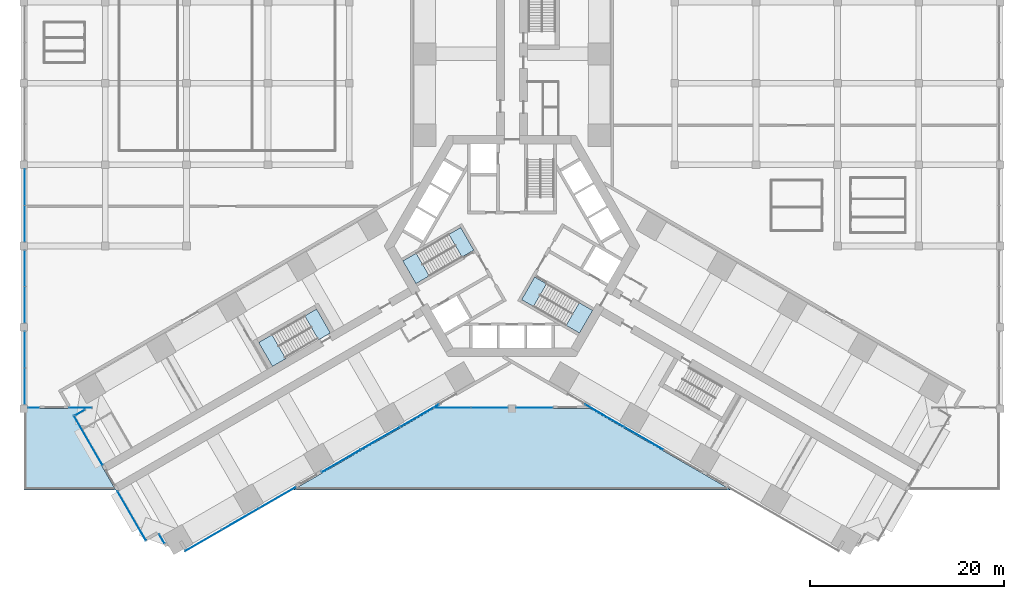
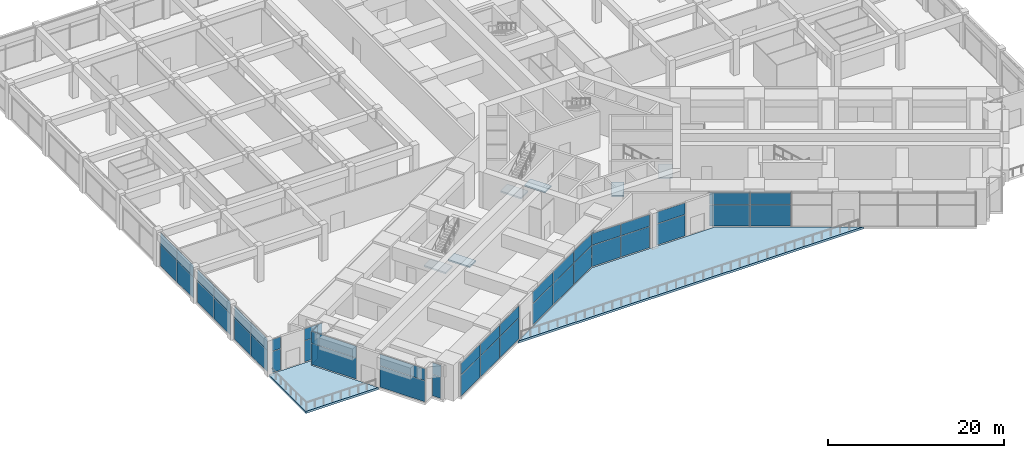
# One storey, part 23 of 34: 46 plates, 8 slabs, 17 elements without a shape of their own.
"""IFC4 building model written with IfcOpenShell, lengths in metres."""

from ifc_helpers import new_model, si_unit, direction, frame, origin, origin_2d, place, context, subcontext, project, spatial, polyline, rectangle, outline, extrude, material, layer, layer_set, type_object, element, aggregate, save


model = new_model("IFC4")

# Units and contexts
model_context = context("Model", 3, precision=1e-05, world=origin(), true_north=direction((0.0, 1.0)))
body_context = subcontext(model_context, "Body", "Model", "MODEL_VIEW")
ifc_project = project(units=[si_unit("LENGTHUNIT", "METRE"), si_unit("AREAUNIT", "SQUARE_METRE"), si_unit("VOLUMEUNIT", "CUBIC_METRE"), si_unit("PLANEANGLEUNIT", "RADIAN"), si_unit("MASSUNIT", "GRAM", prefix="KILO")], contexts=[model_context])

# Site, building, storey
site_placement = place(None, origin())
site = spatial("IfcSite", under=ifc_project, at=site_placement, CompositionType="ELEMENT")
building_placement = place(site_placement, origin())
building = spatial("IfcBuilding", under=site, at=building_placement, Name="Impinga Residences", CompositionType="ELEMENT")
storey_placement = place(building_placement, frame((0.0, 0.0, 16.0)))
storey = spatial("IfcBuildingStorey", under=building, at=storey_placement, Name="L03", CompositionType="ELEMENT", Elevation=16.0)

# Curtain wall, plates
ifc_material_1 = material(Name="Aluminium stick curtain wall", Category="aluminium")
curtain_wall_type = type_object("IfcCurtainWallType", Name="CW1 podium amenity curtain wall", PredefinedType="USERDEFINED", material=ifc_material_1)
curtain_wall_1_placement = place(storey_placement, origin())
curtain_wall_1 = element("IfcCurtainWall", 1, at=curtain_wall_1_placement, inside=storey, type_object=curtain_wall_type, Name="Curtain wall CW1 L03", ObjectType="STICK CURTAIN WALL", PredefinedType="USERDEFINED")
ifc_material_2 = material(Name="Clear double glazing", Category="glass")
ifc_layer_1 = layer(ifc_material_2, 0.028076171875)
ifc_layer_set_1 = layer_set([ifc_layer_1], Name="CW1-P clear double glazed panel 28")
plate_type = type_object("IfcPlateType", Name="CW1-P clear double glazed panel 28", PredefinedType="CURTAIN_PANEL", material=ifc_layer_set_1)
plate_1_placement = place(storey_placement, frame((-36.160888671875, -30.23046875, 0.06005859375), z_axis=(0.0, 0.0, 1.0), x_axis=(-0.499999813995, 0.866025511175, 0.0)))
plate_1 = element("IfcPlate", 2, at=plate_1_placement, type_object=plate_type, Name="CW1 panel 1.1", PredefinedType="CURTAIN_PANEL", context=body_context, shape_type="SweptSolid", body=[
    extrude(rectangle(XDim=1.080078125, YDim=0.028076171875, at=origin_2d()), origin(), (0.0, 0.0, 1.0), 2.909912109375),
])
plate_2_placement = place(storey_placement, frame((-36.160888671875, -30.23046875, 3.02978515625), z_axis=(0.0, 0.0, 1.0), x_axis=(-0.499999813995, 0.866025511175, 0.0)))
plate_2 = element("IfcPlate", 3, at=plate_2_placement, type_object=plate_type, Name="CW1 panel 1.2", PredefinedType="CURTAIN_PANEL", context=body_context, shape_type="SweptSolid", body=[
    extrude(rectangle(XDim=1.080078125, YDim=0.028076171875, at=origin_2d()), origin(), (0.0, 0.0, 1.0), 1.610107421875),
])
aggregate(curtain_wall_1, [plate_1, plate_2])

curtain_wall_2_placement = place(storey_placement, origin())
curtain_wall_2 = element("IfcCurtainWall", 4, at=curtain_wall_2_placement, inside=storey, type_object=curtain_wall_type, Name="Curtain wall CW1 L03", ObjectType="STICK CURTAIN WALL", PredefinedType="USERDEFINED")
plate_3_placement = place(storey_placement, frame((-39.260009765625, -27.86279296875, 0.06005859375), z_axis=(0.0, 0.0, 1.0), x_axis=(-0.500000030502, 0.866025386174, 0.0)))
plate_3 = element("IfcPlate", 5, at=plate_3_placement, type_object=plate_type, Name="CW1 panel 1.1", PredefinedType="CURTAIN_PANEL", context=body_context, shape_type="SweptSolid", body=[
    extrude(rectangle(XDim=5.8798828125, YDim=0.028076171875, at=origin_2d()), origin(), (0.0, 0.0, 1.0), 2.909912109375),
])
plate_4_placement = place(storey_placement, frame((-39.260009765625, -27.86279296875, 3.02978515625), z_axis=(0.0, 0.0, 1.0), x_axis=(-0.500000030502, 0.866025386174, 0.0)))
plate_4 = element("IfcPlate", 6, at=plate_4_placement, type_object=plate_type, Name="CW1 panel 1.2", PredefinedType="CURTAIN_PANEL", context=body_context, shape_type="SweptSolid", body=[
    extrude(rectangle(XDim=5.8798828125, YDim=0.028076171875, at=origin_2d()), origin(), (0.0, 0.0, 1.0), 1.610107421875),
])
aggregate(curtain_wall_2, [plate_3, plate_4])

curtain_wall_3_placement = place(storey_placement, origin())
curtain_wall_3 = element("IfcCurtainWall", 7, at=curtain_wall_3_placement, inside=storey, type_object=curtain_wall_type, Name="Curtain wall CW1 L03", ObjectType="STICK CURTAIN WALL", PredefinedType="USERDEFINED")
plate_5_placement = place(storey_placement, frame((-43.760009765625, -20.068603515625, 0.06005859375), z_axis=(0.0, 0.0, 1.0), x_axis=(-0.500000030502, 0.866025386174, 0.0)))
plate_5 = element("IfcPlate", 8, at=plate_5_placement, type_object=plate_type, Name="CW1 panel 1.1", PredefinedType="CURTAIN_PANEL", context=body_context, shape_type="SweptSolid", body=[
    extrude(rectangle(XDim=5.8798828125, YDim=0.028076171875, at=origin_2d()), origin(), (0.0, 0.0, 1.0), 2.909912109375),
])
plate_6_placement = place(storey_placement, frame((-43.760009765625, -20.068603515625, 3.02978515625), z_axis=(0.0, 0.0, 1.0), x_axis=(-0.500000030502, 0.866025386174, 0.0)))
plate_6 = element("IfcPlate", 9, at=plate_6_placement, type_object=plate_type, Name="CW1 panel 1.2", PredefinedType="CURTAIN_PANEL", context=body_context, shape_type="SweptSolid", body=[
    extrude(rectangle(XDim=5.8798828125, YDim=0.028076171875, at=origin_2d()), origin(), (0.0, 0.0, 1.0), 1.610107421875),
])
aggregate(curtain_wall_3, [plate_5, plate_6])

curtain_wall_4_placement = place(storey_placement, origin())
curtain_wall_4 = element("IfcCurtainWall", 10, at=curtain_wall_4_placement, inside=storey, type_object=curtain_wall_type, Name="Curtain wall CW1 L03", ObjectType="STICK CURTAIN WALL", PredefinedType="USERDEFINED")
plate_7_placement = place(storey_placement, frame((-44.5859375, -17.19677734375, 0.06005859375), z_axis=(0.0, 0.0, 1.0), x_axis=(0.86602522371, 0.500000311898, 0.0)))
plate_7 = element("IfcPlate", 11, at=plate_7_placement, type_object=plate_type, Name="CW1 panel 1.1", PredefinedType="CURTAIN_PANEL", context=body_context, shape_type="SweptSolid", body=[
    extrude(rectangle(XDim=1.12109375, YDim=0.028076171875, at=origin_2d()), origin(), (0.0, 0.0, 1.0), 2.909912109375),
])
plate_8_placement = place(storey_placement, frame((-44.5859375, -17.19677734375, 3.02978515625), z_axis=(0.0, 0.0, 1.0), x_axis=(0.86602522371, 0.500000311898, 0.0)))
plate_8 = element("IfcPlate", 12, at=plate_8_placement, type_object=plate_type, Name="CW1 panel 1.2", PredefinedType="CURTAIN_PANEL", context=body_context, shape_type="SweptSolid", body=[
    extrude(rectangle(XDim=1.12109375, YDim=0.028076171875, at=origin_2d()), origin(), (0.0, 0.0, 1.0), 1.610107421875),
])
aggregate(curtain_wall_4, [plate_7, plate_8])

curtain_wall_5_placement = place(storey_placement, origin())
curtain_wall_5 = element("IfcCurtainWall", 13, at=curtain_wall_5_placement, inside=storey, type_object=curtain_wall_type, Name="Curtain wall CW1 L03", ObjectType="STICK CURTAIN WALL", PredefinedType="USERDEFINED")
plate_9_placement = place(storey_placement, frame((-44.550537109375, -16.699951171875, 0.06005859375), z_axis=(0.0, 0.0, 1.0), x_axis=(-1.0, 0.0, 0.0)))
plate_9 = element("IfcPlate", 14, at=plate_9_placement, type_object=plate_type, Name="CW1 panel 1.1", PredefinedType="CURTAIN_PANEL", context=body_context, shape_type="SweptSolid", body=[
    extrude(rectangle(XDim=2.277099609375, YDim=0.028076171875, at=origin_2d()), origin(), (0.0, 0.0, 1.0), 2.909912109375),
])
plate_10_placement = place(storey_placement, frame((-44.550537109375, -16.699951171875, 3.02978515625), z_axis=(0.0, 0.0, 1.0), x_axis=(-1.0, 0.0, 0.0)))
plate_10 = element("IfcPlate", 15, at=plate_10_placement, type_object=plate_type, Name="CW1 panel 1.2", PredefinedType="CURTAIN_PANEL", context=body_context, shape_type="SweptSolid", body=[
    extrude(rectangle(XDim=2.277099609375, YDim=0.028076171875, at=origin_2d()), origin(), (0.0, 0.0, 1.0), 1.610107421875),
])
aggregate(curtain_wall_5, [plate_9, plate_10])

curtain_wall_6_placement = place(storey_placement, origin())
curtain_wall_6 = element("IfcCurtainWall", 16, at=curtain_wall_6_placement, inside=storey, type_object=curtain_wall_type, Name="Curtain wall CW1 L03", ObjectType="STICK CURTAIN WALL", PredefinedType="USERDEFINED")
plate_11_placement = place(storey_placement, frame((-49.373046875, -16.699951171875, 0.06005859375), z_axis=(0.0, 0.0, 1.0), x_axis=(-1.0, 0.0, 0.0)))
plate_11 = element("IfcPlate", 17, at=plate_11_placement, type_object=plate_type, Name="CW1 panel 1.1", PredefinedType="CURTAIN_PANEL", context=body_context, shape_type="SweptSolid", body=[
    extrude(rectangle(XDim=1.127685546875, YDim=0.028076171875, at=origin_2d()), origin(), (0.0, 0.0, 1.0), 2.909912109375),
])
plate_12_placement = place(storey_placement, frame((-49.373046875, -16.699951171875, 3.02978515625), z_axis=(0.0, 0.0, 1.0), x_axis=(-1.0, 0.0, 0.0)))
plate_12 = element("IfcPlate", 18, at=plate_12_placement, type_object=plate_type, Name="CW1 panel 1.2", PredefinedType="CURTAIN_PANEL", context=body_context, shape_type="SweptSolid", body=[
    extrude(rectangle(XDim=1.127685546875, YDim=0.028076171875, at=origin_2d()), origin(), (0.0, 0.0, 1.0), 1.610107421875),
])
aggregate(curtain_wall_6, [plate_11, plate_12])

curtain_wall_7_placement = place(storey_placement, origin())
curtain_wall_7 = element("IfcCurtainWall", 19, at=curtain_wall_7_placement, inside=storey, type_object=curtain_wall_type, Name="Curtain wall CW1 L03", ObjectType="STICK CURTAIN WALL", PredefinedType="USERDEFINED")
plate_13_placement = place(storey_placement, frame((-50.300048828125, -14.4833984375, 0.06005859375), z_axis=(0.0, 0.0, 1.0), x_axis=(0.0, 1.0, 0.0)))
plate_13 = element("IfcPlate", 20, at=plate_13_placement, type_object=plate_type, Name="CW1 panel 1.1", PredefinedType="CURTAIN_PANEL", context=body_context, shape_type="SweptSolid", body=[
    extrude(rectangle(XDim=3.70703125, YDim=0.028076171875, at=origin_2d()), origin(), (0.0, 0.0, 1.0), 2.909912109375),
])
plate_14_placement = place(storey_placement, frame((-50.300048828125, -14.4833984375, 3.02978515625), z_axis=(0.0, 0.0, 1.0), x_axis=(0.0, 1.0, 0.0)))
plate_14 = element("IfcPlate", 21, at=plate_14_placement, type_object=plate_type, Name="CW1 panel 1.2", PredefinedType="CURTAIN_PANEL", context=body_context, shape_type="SweptSolid", body=[
    extrude(rectangle(XDim=3.70703125, YDim=0.028076171875, at=origin_2d()), origin(), (0.0, 0.0, 1.0), 1.610107421875),
])
plate_15_placement = place(storey_placement, frame((-50.300048828125, -10.716552734375, 0.06005859375), z_axis=(0.0, 0.0, 1.0), x_axis=(0.0, 1.0, 0.0)))
plate_15 = element("IfcPlate", 22, at=plate_15_placement, type_object=plate_type, Name="CW1 panel 2.1", PredefinedType="CURTAIN_PANEL", context=body_context, shape_type="SweptSolid", body=[
    extrude(rectangle(XDim=3.70703125, YDim=0.028076171875, at=origin_2d()), origin(), (0.0, 0.0, 1.0), 2.909912109375),
])
plate_16_placement = place(storey_placement, frame((-50.300048828125, -10.716552734375, 3.02978515625), z_axis=(0.0, 0.0, 1.0), x_axis=(0.0, 1.0, 0.0)))
plate_16 = element("IfcPlate", 23, at=plate_16_placement, type_object=plate_type, Name="CW1 panel 2.2", PredefinedType="CURTAIN_PANEL", context=body_context, shape_type="SweptSolid", body=[
    extrude(rectangle(XDim=3.70703125, YDim=0.028076171875, at=origin_2d()), origin(), (0.0, 0.0, 1.0), 1.610107421875),
])
aggregate(curtain_wall_7, [plate_13, plate_14, plate_15, plate_16])

curtain_wall_8_placement = place(storey_placement, origin())
curtain_wall_8 = element("IfcCurtainWall", 24, at=curtain_wall_8_placement, inside=storey, type_object=curtain_wall_type, Name="Curtain wall CW1 L03", ObjectType="STICK CURTAIN WALL", PredefinedType="USERDEFINED")
plate_17_placement = place(storey_placement, frame((-50.300048828125, -6.08349609375, 0.06005859375), z_axis=(0.0, 0.0, 1.0), x_axis=(0.0, 1.0, 0.0)))
plate_17 = element("IfcPlate", 25, at=plate_17_placement, type_object=plate_type, Name="CW1 panel 1.1", PredefinedType="CURTAIN_PANEL", context=body_context, shape_type="SweptSolid", body=[
    extrude(rectangle(XDim=3.70703125, YDim=0.028076171875, at=origin_2d()), origin(), (0.0, 0.0, 1.0), 2.909912109375),
])
plate_18_placement = place(storey_placement, frame((-50.300048828125, -6.08349609375, 3.02978515625), z_axis=(0.0, 0.0, 1.0), x_axis=(0.0, 1.0, 0.0)))
plate_18 = element("IfcPlate", 26, at=plate_18_placement, type_object=plate_type, Name="CW1 panel 1.2", PredefinedType="CURTAIN_PANEL", context=body_context, shape_type="SweptSolid", body=[
    extrude(rectangle(XDim=3.70703125, YDim=0.028076171875, at=origin_2d()), origin(), (0.0, 0.0, 1.0), 1.610107421875),
])
plate_19_placement = place(storey_placement, frame((-50.300048828125, -2.31640625, 0.06005859375), z_axis=(0.0, 0.0, 1.0), x_axis=(0.0, 1.0, 0.0)))
plate_19 = element("IfcPlate", 27, at=plate_19_placement, type_object=plate_type, Name="CW1 panel 2.1", PredefinedType="CURTAIN_PANEL", context=body_context, shape_type="SweptSolid", body=[
    extrude(rectangle(XDim=3.70703125, YDim=0.028076171875, at=origin_2d()), origin(), (0.0, 0.0, 1.0), 2.909912109375),
])
plate_20_placement = place(storey_placement, frame((-50.300048828125, -2.31640625, 3.02978515625), z_axis=(0.0, 0.0, 1.0), x_axis=(0.0, 1.0, 0.0)))
plate_20 = element("IfcPlate", 28, at=plate_20_placement, type_object=plate_type, Name="CW1 panel 2.2", PredefinedType="CURTAIN_PANEL", context=body_context, shape_type="SweptSolid", body=[
    extrude(rectangle(XDim=3.70703125, YDim=0.028076171875, at=origin_2d()), origin(), (0.0, 0.0, 1.0), 1.610107421875),
])
aggregate(curtain_wall_8, [plate_17, plate_18, plate_19, plate_20])

curtain_wall_9_placement = place(storey_placement, origin())
curtain_wall_9 = element("IfcCurtainWall", 29, at=curtain_wall_9_placement, inside=storey, type_object=curtain_wall_type, Name="Curtain wall CW1 L03", ObjectType="STICK CURTAIN WALL", PredefinedType="USERDEFINED")
plate_21_placement = place(storey_placement, frame((-50.300048828125, 2.31640625, 0.06005859375), z_axis=(0.0, 0.0, 1.0), x_axis=(0.0, 1.0, 0.0)))
plate_21 = element("IfcPlate", 30, at=plate_21_placement, type_object=plate_type, Name="CW1 panel 1.1", PredefinedType="CURTAIN_PANEL", context=body_context, shape_type="SweptSolid", body=[
    extrude(rectangle(XDim=3.70703125, YDim=0.028076171875, at=origin_2d()), origin(), (0.0, 0.0, 1.0), 2.909912109375),
])
plate_22_placement = place(storey_placement, frame((-50.300048828125, 2.31640625, 3.02978515625), z_axis=(0.0, 0.0, 1.0), x_axis=(0.0, 1.0, 0.0)))
plate_22 = element("IfcPlate", 31, at=plate_22_placement, type_object=plate_type, Name="CW1 panel 1.2", PredefinedType="CURTAIN_PANEL", context=body_context, shape_type="SweptSolid", body=[
    extrude(rectangle(XDim=3.70703125, YDim=0.028076171875, at=origin_2d()), origin(), (0.0, 0.0, 1.0), 1.610107421875),
])
plate_23_placement = place(storey_placement, frame((-50.300048828125, 6.08349609375, 0.06005859375), z_axis=(0.0, 0.0, 1.0), x_axis=(0.0, 1.0, 0.0)))
plate_23 = element("IfcPlate", 32, at=plate_23_placement, type_object=plate_type, Name="CW1 panel 2.1", PredefinedType="CURTAIN_PANEL", context=body_context, shape_type="SweptSolid", body=[
    extrude(rectangle(XDim=3.70703125, YDim=0.028076171875, at=origin_2d()), origin(), (0.0, 0.0, 1.0), 2.909912109375),
])
plate_24_placement = place(storey_placement, frame((-50.300048828125, 6.08349609375, 3.02978515625), z_axis=(0.0, 0.0, 1.0), x_axis=(0.0, 1.0, 0.0)))
plate_24 = element("IfcPlate", 33, at=plate_24_placement, type_object=plate_type, Name="CW1 panel 2.2", PredefinedType="CURTAIN_PANEL", context=body_context, shape_type="SweptSolid", body=[
    extrude(rectangle(XDim=3.70703125, YDim=0.028076171875, at=origin_2d()), origin(), (0.0, 0.0, 1.0), 1.610107421875),
])
aggregate(curtain_wall_9, [plate_21, plate_22, plate_23, plate_24])

curtain_wall_10_placement = place(storey_placement, origin())
curtain_wall_10 = element("IfcCurtainWall", 34, at=curtain_wall_10_placement, inside=storey, type_object=curtain_wall_type, Name="Curtain wall CW1 L03", ObjectType="STICK CURTAIN WALL", PredefinedType="USERDEFINED")
plate_25_placement = place(storey_placement, frame((13.588134765625, -19.85400390625, 0.06005859375), z_axis=(0.0, 0.0, 1.0), x_axis=(-0.866025380702, 0.500000039979, 0.0)))
plate_25 = element("IfcPlate", 35, at=plate_25_placement, type_object=plate_type, Name="CW1 panel 2.1", PredefinedType="CURTAIN_PANEL", context=body_context, shape_type="SweptSolid", body=[
    extrude(rectangle(XDim=4.625244140625, YDim=0.028076171875, at=origin_2d()), origin(), (0.0, 0.0, 1.0), 2.909912109375),
])
plate_26_placement = place(storey_placement, frame((13.588134765625, -19.85400390625, 3.02978515625), z_axis=(0.0, 0.0, 1.0), x_axis=(-0.866025380702, 0.500000039979, 0.0)))
plate_26 = element("IfcPlate", 36, at=plate_26_placement, type_object=plate_type, Name="CW1 panel 2.2", PredefinedType="CURTAIN_PANEL", context=body_context, shape_type="SweptSolid", body=[
    extrude(rectangle(XDim=4.625244140625, YDim=0.028076171875, at=origin_2d()), origin(), (0.0, 0.0, 1.0), 1.610107421875),
])
plate_27_placement = place(storey_placement, frame((9.543701171875, -17.51904296875, 0.06005859375), z_axis=(0.0, 0.0, 1.0), x_axis=(-0.866025380702, 0.500000039979, 0.0)))
plate_27 = element("IfcPlate", 37, at=plate_27_placement, type_object=plate_type, Name="CW1 panel 3.1", PredefinedType="CURTAIN_PANEL", context=body_context, shape_type="SweptSolid", body=[
    extrude(rectangle(XDim=4.59521484375, YDim=0.028076171875, at=origin_2d()), origin(), (0.0, 0.0, 1.0), 2.909912109375),
])
plate_28_placement = place(storey_placement, frame((9.543701171875, -17.51904296875, 3.02978515625), z_axis=(0.0, 0.0, 1.0), x_axis=(-0.866025380702, 0.500000039979, 0.0)))
plate_28 = element("IfcPlate", 38, at=plate_28_placement, type_object=plate_type, Name="CW1 panel 3.2", PredefinedType="CURTAIN_PANEL", context=body_context, shape_type="SweptSolid", body=[
    extrude(rectangle(XDim=4.59521484375, YDim=0.028076171875, at=origin_2d()), origin(), (0.0, 0.0, 1.0), 1.610107421875),
])
aggregate(curtain_wall_10, [plate_25, plate_26, plate_27, plate_28])

curtain_wall_11_placement = place(storey_placement, origin())
curtain_wall_11 = element("IfcCurtainWall", 39, at=curtain_wall_11_placement, inside=storey, type_object=curtain_wall_type, Name="Curtain wall CW1 L03", ObjectType="STICK CURTAIN WALL", PredefinedType="USERDEFINED")
plate_29_placement = place(storey_placement, frame((2.3271484375, -16.699951171875, 0.06005859375), z_axis=(0.0, 0.0, 1.0), x_axis=(-1.0, 0.0, 0.0)))
plate_29 = element("IfcPlate", 40, at=plate_29_placement, type_object=plate_type, Name="CW1 panel 1.1", PredefinedType="CURTAIN_PANEL", context=body_context, shape_type="SweptSolid", body=[
    extrude(rectangle(XDim=3.728515625, YDim=0.028076171875, at=origin_2d()), origin(), (0.0, 0.0, 1.0), 2.909912109375),
])
plate_30_placement = place(storey_placement, frame((2.3271484375, -16.699951171875, 3.02978515625), z_axis=(0.0, 0.0, 1.0), x_axis=(-1.0, 0.0, 0.0)))
plate_30 = element("IfcPlate", 41, at=plate_30_placement, type_object=plate_type, Name="CW1 panel 1.2", PredefinedType="CURTAIN_PANEL", context=body_context, shape_type="SweptSolid", body=[
    extrude(rectangle(XDim=3.728515625, YDim=0.028076171875, at=origin_2d()), origin(), (0.0, 0.0, 1.0), 1.610107421875),
])
aggregate(curtain_wall_11, [plate_29, plate_30])

curtain_wall_12_placement = place(storey_placement, origin())
curtain_wall_12 = element("IfcCurtainWall", 42, at=curtain_wall_12_placement, inside=storey, type_object=curtain_wall_type, Name="Curtain wall CW1 L03", ObjectType="STICK CURTAIN WALL", PredefinedType="USERDEFINED")
plate_31_placement = place(storey_placement, frame((-2.341796875, -16.699951171875, 0.06005859375), z_axis=(0.0, 0.0, 1.0), x_axis=(-1.0, 0.0, 0.0)))
plate_31 = element("IfcPlate", 43, at=plate_31_placement, type_object=plate_type, Name="CW1 panel 1.1", PredefinedType="CURTAIN_PANEL", context=body_context, shape_type="SweptSolid", body=[
    extrude(rectangle(XDim=3.7578125, YDim=0.028076171875, at=origin_2d()), origin(), (0.0, 0.0, 1.0), 2.909912109375),
])
plate_32_placement = place(storey_placement, frame((-2.341796875, -16.699951171875, 3.02978515625), z_axis=(0.0, 0.0, 1.0), x_axis=(-1.0, 0.0, 0.0)))
plate_32 = element("IfcPlate", 44, at=plate_32_placement, type_object=plate_type, Name="CW1 panel 1.2", PredefinedType="CURTAIN_PANEL", context=body_context, shape_type="SweptSolid", body=[
    extrude(rectangle(XDim=3.7578125, YDim=0.028076171875, at=origin_2d()), origin(), (0.0, 0.0, 1.0), 1.610107421875),
])
plate_33_placement = place(storey_placement, frame((-6.15966796875, -16.699951171875, 0.06005859375), z_axis=(0.0, 0.0, 1.0), x_axis=(-1.0, 0.0, 0.0)))
plate_33 = element("IfcPlate", 45, at=plate_33_placement, type_object=plate_type, Name="CW1 panel 2.1", PredefinedType="CURTAIN_PANEL", context=body_context, shape_type="SweptSolid", body=[
    extrude(rectangle(XDim=3.7578125, YDim=0.028076171875, at=origin_2d()), origin(), (0.0, 0.0, 1.0), 2.909912109375),
])
plate_34_placement = place(storey_placement, frame((-6.15966796875, -16.699951171875, 3.02978515625), z_axis=(0.0, 0.0, 1.0), x_axis=(-1.0, 0.0, 0.0)))
plate_34 = element("IfcPlate", 46, at=plate_34_placement, type_object=plate_type, Name="CW1 panel 2.2", PredefinedType="CURTAIN_PANEL", context=body_context, shape_type="SweptSolid", body=[
    extrude(rectangle(XDim=3.7578125, YDim=0.028076171875, at=origin_2d()), origin(), (0.0, 0.0, 1.0), 1.610107421875),
])
aggregate(curtain_wall_12, [plate_31, plate_32, plate_33, plate_34])

curtain_wall_13_placement = place(storey_placement, origin())
curtain_wall_13 = element("IfcCurtainWall", 47, at=curtain_wall_13_placement, inside=storey, type_object=curtain_wall_type, Name="Curtain wall CW1 L03", ObjectType="STICK CURTAIN WALL", PredefinedType="USERDEFINED")
plate_35_placement = place(storey_placement, frame((-9.543701171875, -17.51904296875, 0.06005859375), z_axis=(0.0, 0.0, 1.0), x_axis=(-0.866025380702, -0.500000039979, 0.0)))
plate_35 = element("IfcPlate", 48, at=plate_35_placement, type_object=plate_type, Name="CW1 panel 1.1", PredefinedType="CURTAIN_PANEL", context=body_context, shape_type="SweptSolid", body=[
    extrude(rectangle(XDim=4.59521484375, YDim=0.028076171875, at=origin_2d()), origin(), (0.0, 0.0, 1.0), 2.909912109375),
])
plate_36_placement = place(storey_placement, frame((-9.543701171875, -17.51904296875, 3.02978515625), z_axis=(0.0, 0.0, 1.0), x_axis=(-0.866025380702, -0.500000039979, 0.0)))
plate_36 = element("IfcPlate", 49, at=plate_36_placement, type_object=plate_type, Name="CW1 panel 1.2", PredefinedType="CURTAIN_PANEL", context=body_context, shape_type="SweptSolid", body=[
    extrude(rectangle(XDim=4.59521484375, YDim=0.028076171875, at=origin_2d()), origin(), (0.0, 0.0, 1.0), 1.610107421875),
])
plate_37_placement = place(storey_placement, frame((-13.588134765625, -19.85400390625, 0.06005859375), z_axis=(0.0, 0.0, 1.0), x_axis=(-0.866025380702, -0.500000039979, 0.0)))
plate_37 = element("IfcPlate", 50, at=plate_37_placement, type_object=plate_type, Name="CW1 panel 2.1", PredefinedType="CURTAIN_PANEL", context=body_context, shape_type="SweptSolid", body=[
    extrude(rectangle(XDim=4.625244140625, YDim=0.028076171875, at=origin_2d()), origin(), (0.0, 0.0, 1.0), 2.909912109375),
])
plate_38_placement = place(storey_placement, frame((-13.588134765625, -19.85400390625, 3.02978515625), z_axis=(0.0, 0.0, 1.0), x_axis=(-0.866025380702, -0.500000039979, 0.0)))
plate_38 = element("IfcPlate", 51, at=plate_38_placement, type_object=plate_type, Name="CW1 panel 2.2", PredefinedType="CURTAIN_PANEL", context=body_context, shape_type="SweptSolid", body=[
    extrude(rectangle(XDim=4.625244140625, YDim=0.028076171875, at=origin_2d()), origin(), (0.0, 0.0, 1.0), 1.610107421875),
])
plate_39_placement = place(storey_placement, frame((-17.6328125, -22.189208984375, 0.06005859375), z_axis=(0.0, 0.0, 1.0), x_axis=(-0.866025380702, -0.500000039979, 0.0)))
plate_39 = element("IfcPlate", 52, at=plate_39_placement, type_object=plate_type, Name="CW1 panel 3.1", PredefinedType="CURTAIN_PANEL", context=body_context, shape_type="SweptSolid", body=[
    extrude(rectangle(XDim=4.59521484375, YDim=0.028076171875, at=origin_2d()), origin(), (0.0, 0.0, 1.0), 2.909912109375),
])
plate_40_placement = place(storey_placement, frame((-17.6328125, -22.189208984375, 3.02978515625), z_axis=(0.0, 0.0, 1.0), x_axis=(-0.866025380702, -0.500000039979, 0.0)))
plate_40 = element("IfcPlate", 53, at=plate_40_placement, type_object=plate_type, Name="CW1 panel 3.2", PredefinedType="CURTAIN_PANEL", context=body_context, shape_type="SweptSolid", body=[
    extrude(rectangle(XDim=4.59521484375, YDim=0.028076171875, at=origin_2d()), origin(), (0.0, 0.0, 1.0), 1.610107421875),
])
aggregate(curtain_wall_13, [plate_35, plate_36, plate_37, plate_38, plate_39, plate_40])

curtain_wall_14_placement = place(storey_placement, origin())
curtain_wall_14 = element("IfcCurtainWall", 54, at=curtain_wall_14_placement, inside=storey, type_object=curtain_wall_type, Name="Curtain wall CW1 L03", ObjectType="STICK CURTAIN WALL", PredefinedType="USERDEFINED")
plate_41_placement = place(storey_placement, frame((-24.20654296875, -25.984619140625, 0.06005859375), z_axis=(0.0, 0.0, 1.0), x_axis=(-0.866025412354, -0.499999985157, 0.0)))
plate_41 = element("IfcPlate", 55, at=plate_41_placement, type_object=plate_type, Name="CW1 panel 1.1", PredefinedType="CURTAIN_PANEL", context=body_context, shape_type="SweptSolid", body=[
    extrude(rectangle(XDim=4.346435546875, YDim=0.028076171875, at=origin_2d()), origin(), (0.0, 0.0, 1.0), 2.909912109375),
])
plate_42_placement = place(storey_placement, frame((-24.20654296875, -25.984619140625, 3.02978515625), z_axis=(0.0, 0.0, 1.0), x_axis=(-0.866025412354, -0.499999985157, 0.0)))
plate_42 = element("IfcPlate", 56, at=plate_42_placement, type_object=plate_type, Name="CW1 panel 1.2", PredefinedType="CURTAIN_PANEL", context=body_context, shape_type="SweptSolid", body=[
    extrude(rectangle(XDim=4.346435546875, YDim=0.028076171875, at=origin_2d()), origin(), (0.0, 0.0, 1.0), 1.610107421875),
])
plate_43_placement = place(storey_placement, frame((-28.035400390625, -28.195068359375, 0.06005859375), z_axis=(0.0, 0.0, 1.0), x_axis=(-0.866025412354, -0.499999985157, 0.0)))
plate_43 = element("IfcPlate", 57, at=plate_43_placement, type_object=plate_type, Name="CW1 panel 2.1", PredefinedType="CURTAIN_PANEL", context=body_context, shape_type="SweptSolid", body=[
    extrude(rectangle(XDim=4.37646484375, YDim=0.028076171875, at=origin_2d()), origin(), (0.0, 0.0, 1.0), 2.909912109375),
])
plate_44_placement = place(storey_placement, frame((-28.035400390625, -28.195068359375, 3.02978515625), z_axis=(0.0, 0.0, 1.0), x_axis=(-0.866025412354, -0.499999985157, 0.0)))
plate_44 = element("IfcPlate", 58, at=plate_44_placement, type_object=plate_type, Name="CW1 panel 2.2", PredefinedType="CURTAIN_PANEL", context=body_context, shape_type="SweptSolid", body=[
    extrude(rectangle(XDim=4.37646484375, YDim=0.028076171875, at=origin_2d()), origin(), (0.0, 0.0, 1.0), 1.610107421875),
])
plate_45_placement = place(storey_placement, frame((-31.864501953125, -30.40576171875, 0.06005859375), z_axis=(0.0, 0.0, 1.0), x_axis=(-0.866025412354, -0.499999985157, 0.0)))
plate_45 = element("IfcPlate", 59, at=plate_45_placement, type_object=plate_type, Name="CW1 panel 3.1", PredefinedType="CURTAIN_PANEL", context=body_context, shape_type="SweptSolid", body=[
    extrude(rectangle(XDim=4.346435546875, YDim=0.028076171875, at=origin_2d()), origin(), (0.0, 0.0, 1.0), 2.909912109375),
])
plate_46_placement = place(storey_placement, frame((-31.864501953125, -30.40576171875, 3.02978515625), z_axis=(0.0, 0.0, 1.0), x_axis=(-0.866025412354, -0.499999985157, 0.0)))
plate_46 = element("IfcPlate", 60, at=plate_46_placement, type_object=plate_type, Name="CW1 panel 3.2", PredefinedType="CURTAIN_PANEL", context=body_context, shape_type="SweptSolid", body=[
    extrude(rectangle(XDim=4.346435546875, YDim=0.028076171875, at=origin_2d()), origin(), (0.0, 0.0, 1.0), 1.610107421875),
])
aggregate(curtain_wall_14, [plate_41, plate_42, plate_43, plate_44, plate_45, plate_46])

# Stair, slabs
ifc_material_3 = material(Name="Concrete C40/50", Category="concrete")
stair_type_1 = type_object("IfcStairType", Name="STR core stair 5000 storey, 30 risers", PredefinedType="HALF_TURN_STAIR", material=ifc_material_3)
stair_1_placement = place(storey_placement, origin())
stair_1 = element("IfcStair", 61, at=stair_1_placement, inside=storey, type_object=stair_type_1, Name="Stair ST2 L03", PredefinedType="HALF_TURN_STAIR")
ifc_layer_2 = layer(ifc_material_3, 0.199951171875)
ifc_layer_set_2 = layer_set([ifc_layer_2], Name="Concrete C40/50")
slab_type_1 = type_object("IfcSlabType", Name="LS1 stair landing 200", PredefinedType="LANDING", material=ifc_layer_set_2)
slab_1_placement = place(storey_placement, frame((0.0, 0.0, -0.199951171875)))
slab_1 = element("IfcSlab", 62, at=slab_1_placement, type_object=slab_type_1, Name="ST2 landing 1", PredefinedType="LANDING", context=body_context, shape_type="SweptSolid", body=[
    extrude(outline(polyline([(-3.943603515625, -0.429443359375), (-5.293701171875, 1.908935546875), (-6.5146484375, 1.203857421875), (-5.164794921875, -1.13427734375), (-3.943603515625, -0.429443359375)])), origin(), (0.0, 0.0, 1.0), 0.199951171875),
])
slab_2_placement = place(storey_placement, frame((0.0, 0.0, 2.300048828125)))
slab_2 = element("IfcSlab", 63, at=slab_2_placement, type_object=slab_type_1, Name="ST2 landing 2", PredefinedType="LANDING", context=body_context, shape_type="SweptSolid", body=[
    extrude(outline(polyline([(-8.542236328125, -3.08447265625), (-9.892333984375, -0.74609375), (-11.2705078125, -1.541748046875), (-9.920654296875, -3.880126953125), (-8.542236328125, -3.08447265625)])), origin(), (0.0, 0.0, 1.0), 0.199951171875),
])
aggregate(stair_1, [slab_1, slab_2])

stair_2_placement = place(storey_placement, origin())
stair_2 = element("IfcStair", 64, at=stair_2_placement, inside=storey, type_object=stair_type_1, Name="Stair ST3 L03", PredefinedType="HALF_TURN_STAIR")
slab_3_placement = place(storey_placement, frame((0.0, 0.0, -0.199951171875)))
slab_3 = element("IfcSlab", 65, at=slab_3_placement, type_object=slab_type_1, Name="ST3 landing 1", PredefinedType="LANDING", context=body_context, shape_type="SweptSolid", body=[
    extrude(outline(polyline([(2.34375, -3.20068359375), (0.99365234375, -5.538818359375), (2.21484375, -6.243896484375), (3.564697265625, -3.90576171875), (2.34375, -3.20068359375)])), origin(), (0.0, 0.0, 1.0), 0.199951171875),
])
slab_4_placement = place(storey_placement, frame((0.0, 0.0, 2.300048828125)))
slab_4 = element("IfcSlab", 66, at=slab_4_placement, type_object=slab_type_1, Name="ST3 landing 2", PredefinedType="LANDING", context=body_context, shape_type="SweptSolid", body=[
    extrude(outline(polyline([(6.9423828125, -5.855712890625), (5.59228515625, -8.19384765625), (6.970458984375, -8.98974609375), (8.320556640625, -6.6513671875), (6.9423828125, -5.855712890625)])), origin(), (0.0, 0.0, 1.0), 0.199951171875),
])
aggregate(stair_2, [slab_3, slab_4])

stair_type_2 = type_object("IfcStairType", Name="STR wing stair 5000 storey, 30 risers", PredefinedType="HALF_TURN_STAIR", material=ifc_material_3)
stair_3_placement = place(storey_placement, origin())
stair_3 = element("IfcStair", 67, at=stair_3_placement, inside=storey, type_object=stair_type_2, Name="Stair WS2 L03", PredefinedType="HALF_TURN_STAIR")
slab_5_placement = place(storey_placement, frame((0.0, 0.0, -0.199951171875)))
slab_5 = element("IfcSlab", 68, at=slab_5_placement, type_object=slab_type_1, Name="WS2 landing 1", PredefinedType="LANDING", context=body_context, shape_type="SweptSolid", body=[
    extrude(outline(polyline([(-18.754150390625, -8.980224609375), (-20.178955078125, -6.511962890625), (-21.400146484375, -7.217041015625), (-19.97509765625, -9.68505859375), (-18.754150390625, -8.980224609375)])), origin(), (0.0, 0.0, 1.0), 0.199951171875),
])
slab_6_placement = place(storey_placement, frame((0.0, 0.0, 2.300048828125)))
slab_6 = element("IfcSlab", 69, at=slab_6_placement, type_object=slab_type_1, Name="WS2 landing 2", PredefinedType="LANDING", context=body_context, shape_type="SweptSolid", body=[
    extrude(outline(polyline([(-23.3525390625, -11.635009765625), (-24.777587890625, -9.1669921875), (-26.154541015625, -9.9619140625), (-24.7294921875, -12.43017578125), (-23.3525390625, -11.635009765625)])), origin(), (0.0, 0.0, 1.0), 0.199951171875),
])
aggregate(stair_3, [slab_5, slab_6])

# Slabs
ifc_material_4 = material(Name="Concrete C60/75", Category="concrete")
ifc_layer_3 = layer(ifc_material_4, 0.300048828125)
ifc_layer_set_3 = layer_set([ifc_layer_3], Name="Concrete C60/75")
slab_type_2 = type_object("IfcSlabType", Name="TS1 podium terrace slab 300", PredefinedType="ROOF", material=ifc_layer_set_3)
slab_7_placement = place(storey_placement, frame((0.0, 0.0, -0.300048828125)))
element("IfcSlab", 70, at=slab_7_placement, inside=storey, type_object=slab_type_2, Name="Podium terrace TS1 L03", PredefinedType="ROOF", context=body_context, shape_type="SweptSolid", body=[
    extrude(outline(polyline([(-50.39990234375, -25.199951171875), (-50.39990234375, -16.801025390625), (-44.102294921875, -16.801025390625), (-45.346923828125, -17.519775390625), (-45.34716796875, -17.519775390625), (-45.34716796875, -17.519775390625), (-45.34716796875, -17.519775390625), (-45.347412109375, -17.52001953125), (-45.347412109375, -17.52001953125), (-45.347412109375, -17.52001953125), (-45.347412109375, -17.520263671875), (-45.347412109375, -17.520263671875), (-45.347412109375, -17.5205078125), (-45.347412109375, -17.5205078125), (-45.347412109375, -17.5205078125), (-45.347412109375, -17.520751953125), (-45.347412109375, -17.520751953125), (-45.347412109375, -17.52099609375), (-45.347412109375, -17.52099609375), (-45.347412109375, -17.52099609375), (-40.9140625, -25.199951171875), (-50.39990234375, -25.199951171875)])), origin(), (0.0, 0.0, 1.0), 0.300048828125),
])
slab_8_placement = place(storey_placement, frame((0.0, 0.0, -0.300048828125)))
element("IfcSlab", 71, at=slab_8_placement, inside=storey, type_object=slab_type_2, Name="Podium terrace TS1 L03", PredefinedType="ROOF", context=body_context, shape_type="SweptSolid", body=[
    extrude(outline(polyline([(-22.645751953125, -25.199951171875), (-8.09814453125, -16.801025390625), (8.09814453125, -16.801025390625), (22.645751953125, -25.199951171875), (-22.645751953125, -25.199951171875)])), origin(), (0.0, 0.0, 1.0), 0.300048828125),
])

save(model, "model.ifc")
